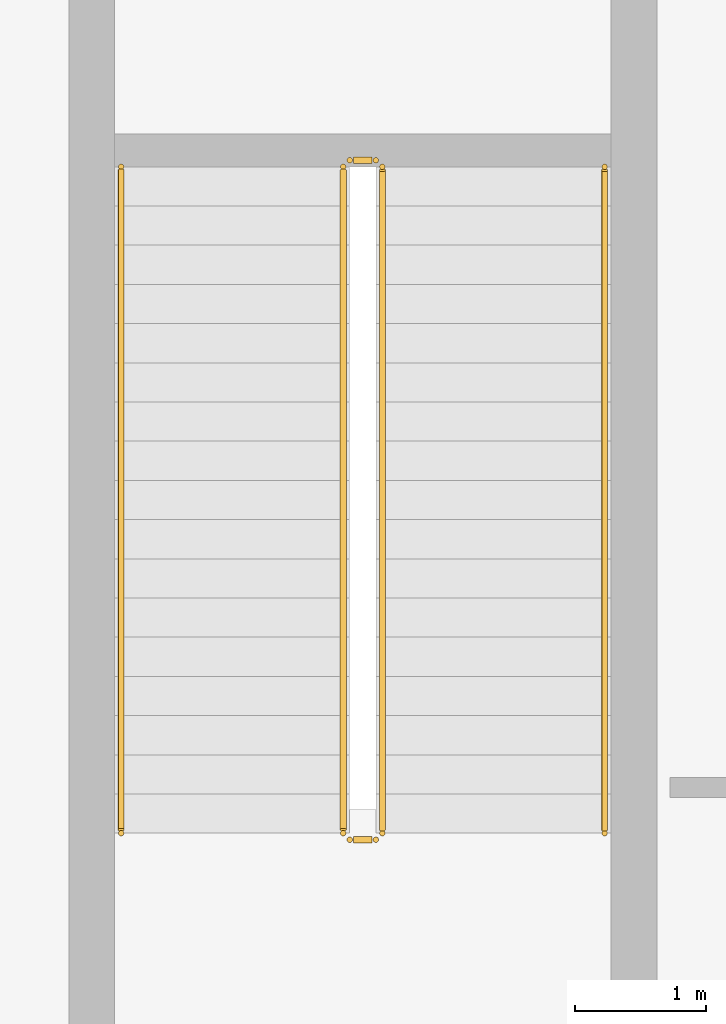
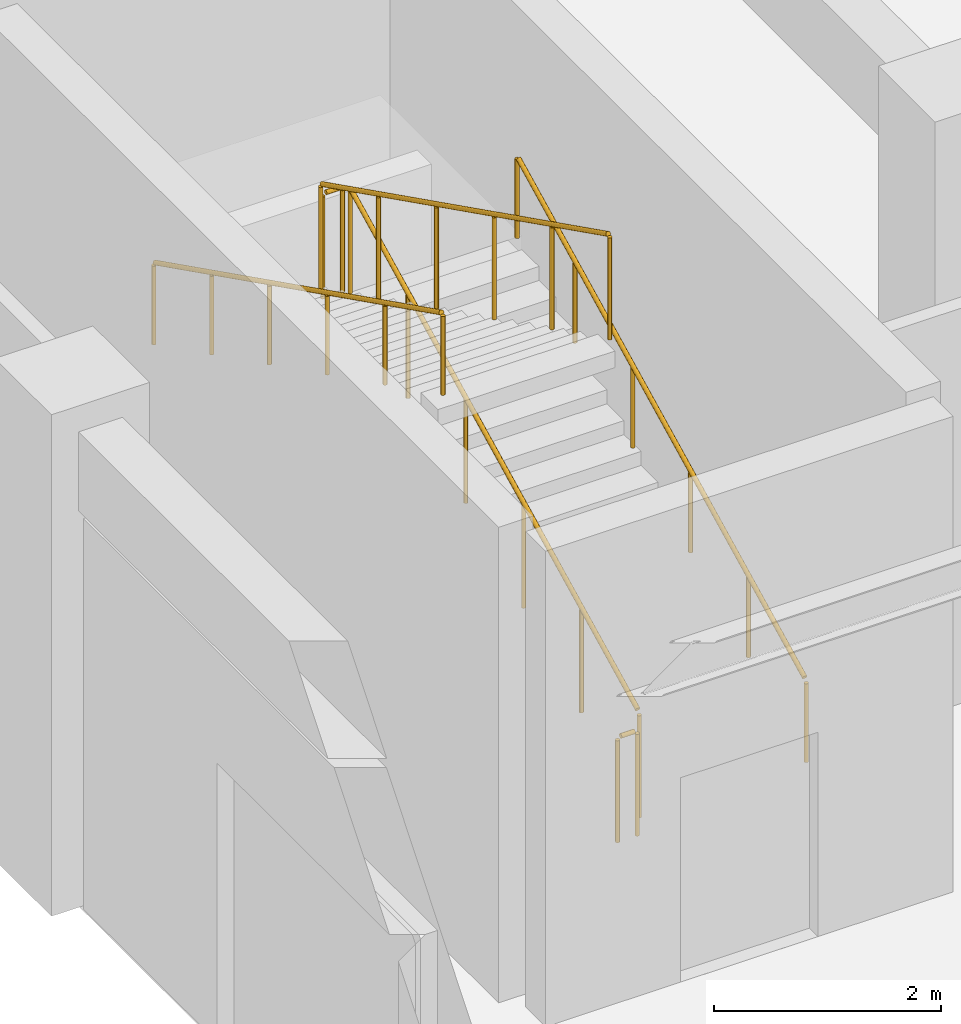
# One storey, part 134 of 140: 6 railings.
"""IFC4 building model written with IfcOpenShell, lengths in metres."""

from ifc_helpers import new_model, si_unit, direction, frame, origin, origin_2d, place, context, subcontext, project, spatial, circle, extrude, material, type_object, element, save


model = new_model("IFC4")

# Units and contexts
model_context = context("Model", 3, precision=1e-05, world=origin(), true_north=direction((0.0, 1.0)))
body_context = subcontext(model_context, "Body", "Model", "MODEL_VIEW")
ifc_project = project(units=[si_unit("LENGTHUNIT", "METRE"), si_unit("AREAUNIT", "SQUARE_METRE"), si_unit("VOLUMEUNIT", "CUBIC_METRE"), si_unit("PLANEANGLEUNIT", "RADIAN"), si_unit("MASSUNIT", "GRAM", prefix="KILO")], contexts=[model_context])

# Site, building, storey
site_placement = place(None, origin())
site = spatial("IfcSite", under=ifc_project, at=site_placement, CompositionType="ELEMENT")
building_placement = place(site_placement, origin())
building = spatial("IfcBuilding", under=site, at=building_placement, Name="Haizhuo Lancet Aquarium", CompositionType="ELEMENT")
storey_placement = place(building_placement, origin())
storey = spatial("IfcBuildingStorey", under=building, at=storey_placement, Name="L00", CompositionType="ELEMENT", Elevation=0.0)

# Railings
ifc_material = material(Name="Steel S355", Category="steel")
railing_type_1 = type_object("IfcRailingType", Name="RL-GRD-1150", PredefinedType="GUARDRAIL", material=ifc_material)
railing_1_placement = place(storey_placement, frame((-22.35009765625, 43.050048828125, 0.14990234375)))
element("IfcRailing", 1, at=railing_1_placement, inside=storey, type_object=railing_type_1, Name="L00 ST-07 stair guard 1", PredefinedType="GUARDRAIL", context=body_context, shape_type="SweptSolid", body=[
    extrude(circle(Radius=0.02392578125, at=origin_2d()), frame((0.0, 0.02685546875, 1.13916015625), z_axis=(0.0, 0.894418627299, 0.447230722492), x_axis=(-1.0, 0.0, 0.0)), (0.0, 0.0, 1.0), 5.641845703125),
    extrude(circle(Radius=0.02099609375, at=origin_2d()), origin(), (0.0, 0.0, 1.0), 1.097900390625),
    extrude(circle(Radius=0.02099609375, at=origin_2d()), frame((0.0, 1.02001953125, 0.510009765625)), (0.0, 0.0, 1.0), 1.097900390625),
    extrude(circle(Radius=0.02099609375, at=origin_2d()), frame((0.0, 2.0400390625, 1.02001953125)), (0.0, 0.0, 1.0), 1.097900390625),
    extrude(circle(Radius=0.02099609375, at=origin_2d()), frame((0.0, 3.059814453125, 1.530029296875)), (0.0, 0.0, 1.0), 1.097900390625),
    extrude(circle(Radius=0.02099609375, at=origin_2d()), frame((0.0, 4.079833984375, 2.0400390625)), (0.0, 0.0, 1.0), 1.097900390625),
    extrude(circle(Radius=0.02099609375, at=origin_2d()), frame((0.0, 5.099853515625, 2.550048828125)), (0.0, 0.0, 1.0), 1.097900390625),
])
railing_2_placement = place(storey_placement, frame((-22.39990234375, 48.199951171875, 2.699951171875)))
element("IfcRailing", 2, at=railing_2_placement, inside=storey, type_object=railing_type_1, Name="L00 ST-07 stair guard 2", PredefinedType="GUARDRAIL", context=body_context, shape_type="SweptSolid", body=[
    extrude(circle(Radius=0.02392578125, at=origin_2d()), frame((-0.030029296875, 0.0, 1.1259765625), z_axis=(-1.0, 0.0, 0.0), x_axis=(0.0, -1.0, 0.0)), (0.0, 0.0, 1.0), 0.14013671875),
    extrude(circle(Radius=0.02099609375, at=origin_2d()), origin(), (0.0, 0.0, 1.0), 1.097900390625),
    extrude(circle(Radius=0.02099609375, at=origin_2d()), frame((-0.2001953125, 0.0, 0.0)), (0.0, 0.0, 1.0), 1.097900390625),
])
railing_3_placement = place(storey_placement, frame((-22.64990234375, 48.14990234375, 2.85009765625)))
element("IfcRailing", 3, at=railing_3_placement, inside=storey, type_object=railing_type_1, Name="L00 ST-07 stair guard 3", PredefinedType="GUARDRAIL", context=body_context, shape_type="SweptSolid", body=[
    extrude(circle(Radius=0.02392578125, at=origin_2d()), frame((0.0, -0.02685546875, 1.13916015625), z_axis=(0.0, -0.894435754537, 0.447196468016), x_axis=(1.0, 0.0, 0.0)), (0.0, 0.0, 1.0), 5.641845703125),
    extrude(circle(Radius=0.02099609375, at=origin_2d()), origin(), (0.0, 0.0, 1.0), 1.097900390625),
    extrude(circle(Radius=0.02099609375, at=origin_2d()), frame((0.0, -1.02001953125, 0.510009765625)), (0.0, 0.0, 1.0), 1.097900390625),
    extrude(circle(Radius=0.02099609375, at=origin_2d()), frame((0.0, -2.0400390625, 1.02001953125)), (0.0, 0.0, 1.0), 1.097900390625),
    extrude(circle(Radius=0.02099609375, at=origin_2d()), frame((0.0, -3.059814453125, 1.52978515625)), (0.0, 0.0, 1.0), 1.097900390625),
    extrude(circle(Radius=0.02099609375, at=origin_2d()), frame((0.0, -4.079833984375, 2.039794921875)), (0.0, 0.0, 1.0), 1.097900390625),
    extrude(circle(Radius=0.02099609375, at=origin_2d()), frame((0.0, -5.099853515625, 2.5498046875)), (0.0, 0.0, 1.0), 1.097900390625),
])
railing_4_placement = place(storey_placement, frame((-22.39990234375, 43.0, 0.0)))
element("IfcRailing", 4, at=railing_4_placement, inside=storey, type_object=railing_type_1, Name="L00 ST-07 stair guard 4", PredefinedType="GUARDRAIL", context=body_context, shape_type="SweptSolid", body=[
    extrude(circle(Radius=0.02392578125, at=origin_2d()), frame((-0.030029296875, 0.0, 1.1259765625), z_axis=(-1.0, 0.0, 0.0), x_axis=(0.0, -1.0, 0.0)), (0.0, 0.0, 1.0), 0.14013671875),
    extrude(circle(Radius=0.02099609375, at=origin_2d()), origin(), (0.0, 0.0, 1.0), 1.097900390625),
    extrude(circle(Radius=0.02099609375, at=origin_2d()), frame((-0.2001953125, 0.0, 0.0)), (0.0, 0.0, 1.0), 1.097900390625),
])
railing_type_2 = type_object("IfcRailingType", Name="RL-HDR-900", PredefinedType="HANDRAIL", material=ifc_material)
railing_5_placement = place(storey_placement, frame((-20.64990234375, 43.050048828125, 0.14990234375)))
element("IfcRailing", 5, at=railing_5_placement, inside=storey, type_object=railing_type_2, Name="L00 ST-07 pitch handrail 1", PredefinedType="HANDRAIL", context=body_context, shape_type="SweptSolid", body=[
    extrude(circle(Radius=0.02392578125, at=origin_2d()), frame((0.0, 0.02685546875, 0.88916015625), z_axis=(0.0, 0.894418627299, 0.447230722492), x_axis=(-1.0, 0.0, 0.0)), (0.0, 0.0, 1.0), 5.641845703125),
    extrude(circle(Radius=0.02099609375, at=origin_2d()), origin(), (0.0, 0.0, 1.0), 0.847900390625),
    extrude(circle(Radius=0.02099609375, at=origin_2d()), frame((0.0, 1.02001953125, 0.510009765625)), (0.0, 0.0, 1.0), 0.847900390625),
    extrude(circle(Radius=0.02099609375, at=origin_2d()), frame((0.0, 2.0400390625, 1.02001953125)), (0.0, 0.0, 1.0), 0.847900390625),
    extrude(circle(Radius=0.02099609375, at=origin_2d()), frame((0.0, 3.059814453125, 1.530029296875)), (0.0, 0.0, 1.0), 0.847900390625),
    extrude(circle(Radius=0.02099609375, at=origin_2d()), frame((0.0, 4.079833984375, 2.0400390625)), (0.0, 0.0, 1.0), 0.847900390625),
    extrude(circle(Radius=0.02099609375, at=origin_2d()), frame((0.0, 5.099853515625, 2.550048828125)), (0.0, 0.0, 1.0), 0.847900390625),
])
railing_6_placement = place(storey_placement, frame((-24.35009765625, 48.14990234375, 2.85009765625)))
element("IfcRailing", 6, at=railing_6_placement, inside=storey, type_object=railing_type_2, Name="L00 ST-07 pitch handrail 2", PredefinedType="HANDRAIL", context=body_context, shape_type="SweptSolid", body=[
    extrude(circle(Radius=0.02392578125, at=origin_2d()), frame((0.0, -0.02685546875, 0.88916015625), z_axis=(0.0, -0.894435754537, 0.447196468016), x_axis=(1.0, 0.0, 0.0)), (0.0, 0.0, 1.0), 5.641845703125),
    extrude(circle(Radius=0.02099609375, at=origin_2d()), origin(), (0.0, 0.0, 1.0), 0.847900390625),
    extrude(circle(Radius=0.02099609375, at=origin_2d()), frame((0.0, -1.02001953125, 0.510009765625)), (0.0, 0.0, 1.0), 0.847900390625),
    extrude(circle(Radius=0.02099609375, at=origin_2d()), frame((0.0, -2.0400390625, 1.02001953125)), (0.0, 0.0, 1.0), 0.847900390625),
    extrude(circle(Radius=0.02099609375, at=origin_2d()), frame((0.0, -3.059814453125, 1.52978515625)), (0.0, 0.0, 1.0), 0.847900390625),
    extrude(circle(Radius=0.02099609375, at=origin_2d()), frame((0.0, -4.079833984375, 2.039794921875)), (0.0, 0.0, 1.0), 0.847900390625),
    extrude(circle(Radius=0.02099609375, at=origin_2d()), frame((0.0, -5.099853515625, 2.5498046875)), (0.0, 0.0, 1.0), 0.847900390625),
])

save(model, "model.ifc")
